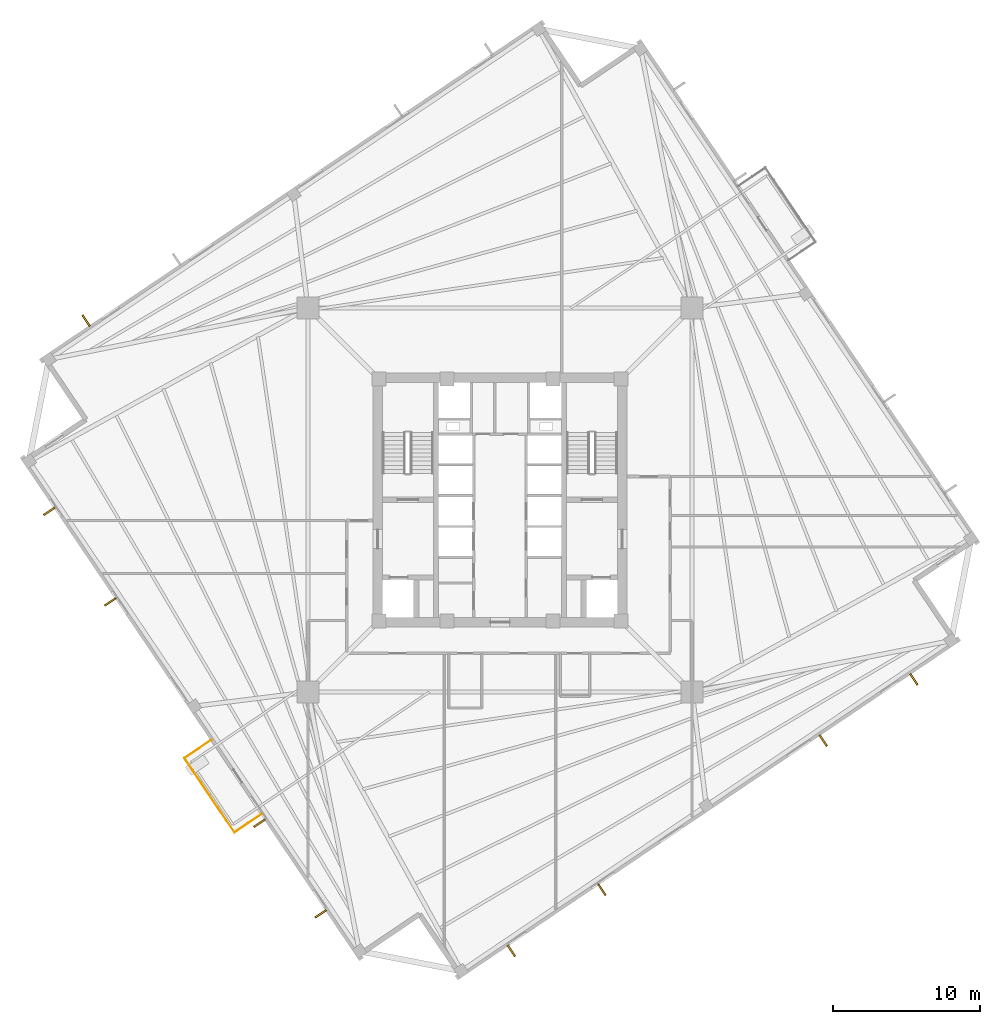
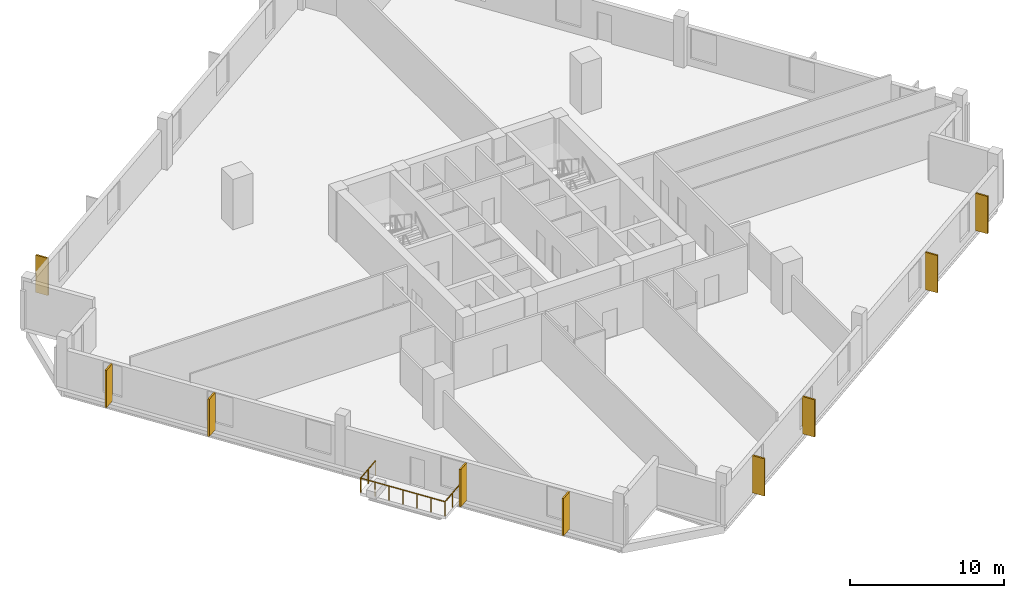
# One storey, part 7 of 9: 9 coverings, 3 railings.
"""IFC4 building model written with IfcOpenShell, lengths in metres."""

from ifc_helpers import new_model, si_unit, direction, frame, origin, origin_2d, place, context, subcontext, project, spatial, rectangle, circle, extrude, source, transform, mapped, material, layer, layer_set, type_object, element, save


model = new_model("IFC4")

# Units and contexts
model_context = context("Model", 3, precision=1e-05, world=origin(), true_north=direction((0.0, 1.0)))
body_context = subcontext(model_context, "Body", "Model", "MODEL_VIEW")
ifc_project = project(units=[si_unit("LENGTHUNIT", "METRE"), si_unit("AREAUNIT", "SQUARE_METRE"), si_unit("VOLUMEUNIT", "CUBIC_METRE"), si_unit("PLANEANGLEUNIT", "RADIAN"), si_unit("MASSUNIT", "GRAM", prefix="KILO"), si_unit("THERMODYNAMICTEMPERATUREUNIT", "KELVIN")], contexts=[model_context])

# Site, building, storey
site_placement = place(None, origin())
site = spatial("IfcSite", under=ifc_project, at=site_placement, CompositionType="ELEMENT")
building_placement = place(site_placement, origin())
building = spatial("IfcBuilding", under=site, at=building_placement, Name="Kosmvard Interchange Tower", CompositionType="ELEMENT")
storey_placement = place(building_placement, frame((0.0, 0.0, 168.39990234375)))
storey = spatial("IfcBuildingStorey", under=building, at=storey_placement, Name="L40", CompositionType="ELEMENT", Elevation=168.39990234375)

# Coverings
ifc_material_1 = material(Name="Architectural anodised aluminium", Category="aluminium")
ifc_layer = layer(ifc_material_1, 0.1201171875, Name="Architectural anodised aluminium")
ifc_layer_set = layer_set([ifc_layer], Name="Architectural anodised aluminium")
covering_type = type_object("IfcCoveringType", Name="Rotating Vertical Sun-Breaker Fin 900x120 Aluminium", PredefinedType="CLADDING", material=ifc_layer_set)
shared_shape_1 = source(origin(), body_context, "Body", "SweptSolid", [
    extrude(rectangle(XDim=0.89990234375, YDim=0.1201171875, at=origin_2d()), origin(), (0.0, 0.0, 1.0), 2.9599609375),
])
for number, where, z_axis, x_axis, name in (
    (1, (0.774169921875, -30.718994140625, 0.0400390625), (0.0, 0.0, 1.0), (0.555860436814, -0.831275631055, 0.0), "L40 Rotating Vertical Sun-Breaker Fin 01"),
    (2, (6.943115234375, -26.557861328125, 0.0400390625), (0.0, 0.0, 1.0), (0.555860436814, -0.831275631055, 0.0), "L40 Rotating Vertical Sun-Breaker Fin 02"),
    (3, (22.02294921875, -16.38623046875, 0.0400390625), (0.0, 0.0, 1.0), (0.555860436814, -0.831275631055, 0.0), "L40 Rotating Vertical Sun-Breaker Fin 03"),
    (4, (28.192138671875, -12.225341796875, 0.0400390625), (0.0, 0.0, 1.0), (0.555860436814, -0.831275631055, 0.0), "L40 Rotating Vertical Sun-Breaker Fin 04"),
    (5, (-28.192138671875, 12.225341796875, 0.0400390625), (0.0, 0.0, 1.0), (-0.555860436814, 0.831275631055, 0.0), "L40 Rotating Vertical Sun-Breaker Fin 12"),
    (6, (-30.718994140625, -0.774169921875, 0.0400390625), (0.0, 0.0, 1.0), (-0.831275631055, -0.555860436814, 0.0), "L40 Rotating Vertical Sun-Breaker Fin 13"),
    (7, (-26.557861328125, -6.943115234375, 0.0400390625), (0.0, 0.0, 1.0), (-0.831275631055, -0.555860436814, 0.0), "L40 Rotating Vertical Sun-Breaker Fin 14"),
    (8, (-16.38623046875, -22.02294921875, 0.0400390625), (0.0, 0.0, 1.0), (-0.831275631055, -0.555860436814, 0.0), "L40 Rotating Vertical Sun-Breaker Fin 15"),
    (9, (-12.225341796875, -28.192138671875, 0.0400390625), (0.0, 0.0, 1.0), (-0.831275631055, -0.555860436814, 0.0), "L40 Rotating Vertical Sun-Breaker Fin 16"),
):
    element("IfcCovering", number, at=place(storey_placement, frame(where, z_axis=z_axis, x_axis=x_axis)), inside=storey, type_object=covering_type, Name=name, PredefinedType="CLADDING", context=body_context, shape_type="MappedRepresentation", body=[
        mapped(shared_shape_1, transform((0.0, 0.0, 0.0), scale=1.0)),
    ])

# Railings
ifc_material_2 = material(Name="Steel S355", Category="steel")
railing_type = type_object("IfcRailingType", Name="Observation & Balcony Glass-Infill Balustrade 1150", PredefinedType="BALUSTRADE", material=ifc_material_2)
shared_shape_2 = source(origin(), body_context, "Body", "SweptSolid", [
    extrude(circle(Radius=0.02392578125, at=origin_2d()), frame((0.0, 0.0, 1.1259765625), z_axis=(0.829050594418, 0.559173597279, 0.0), x_axis=(-0.559173597279, 0.829050594418, 0.0)), (0.0, 0.0, 1.0), 2.2001953125),
    extrude(circle(Radius=0.02099609375, at=origin_2d()), origin(), (0.0, 0.0, 1.0), 1.101806640625),
    extrude(circle(Radius=0.02099609375, at=origin_2d()), frame((0.912109375, 0.615234375, 0.0)), (0.0, 0.0, 1.0), 1.101806640625),
    extrude(circle(Radius=0.02099609375, at=origin_2d()), frame((1.823974609375, 1.230224609375, 0.0)), (0.0, 0.0, 1.0), 1.101806640625),
])
railing_1_placement = place(storey_placement, frame((-18.0859375, -22.6328125, 0.0)))
element("IfcRailing", 10, at=railing_1_placement, inside=storey, type_object=railing_type, Name="L40 Outdoor Terrace Guard BAL-L40-W-C", PredefinedType="BALUSTRADE", context=body_context, shape_type="MappedRepresentation", body=[
    mapped(shared_shape_2, transform((0.0, 0.0, 0.0), scale=1.0)),
])
shared_shape_3 = source(origin(), body_context, "Body", "SweptSolid", [
    extrude(circle(Radius=0.02392578125, at=origin_2d()), frame((0.0, 0.0, 1.1259765625), z_axis=(-0.829050594418, -0.559173597279, 0.0), x_axis=(0.559173597279, -0.829050594418, 0.0)), (0.0, 0.0, 1.0), 2.2001953125),
    extrude(circle(Radius=0.02099609375, at=origin_2d()), origin(), (0.0, 0.0, 1.0), 1.101806640625),
    extrude(circle(Radius=0.02099609375, at=origin_2d()), frame((-0.912109375, -0.615234375, 0.0)), (0.0, 0.0, 1.0), 1.101806640625),
    extrude(circle(Radius=0.02099609375, at=origin_2d()), frame((-1.823974609375, -1.230224609375, 0.0)), (0.0, 0.0, 1.0), 1.101806640625),
])
railing_2_placement = place(storey_placement, frame((-19.673095703125, -16.345458984375, 0.0)))
element("IfcRailing", 11, at=railing_2_placement, inside=storey, type_object=railing_type, Name="L40 Outdoor Terrace Guard BAL-L40-W-A", PredefinedType="BALUSTRADE", context=body_context, shape_type="MappedRepresentation", body=[
    mapped(shared_shape_3, transform((0.0, 0.0, 0.0), scale=1.0)),
])
shared_shape_4 = source(origin(), body_context, "Body", "SweptSolid", [
    extrude(circle(Radius=0.02392578125, at=origin_2d()), frame((0.0, 0.0, 1.1259765625), z_axis=(0.55919924627, -0.829033294248, 0.0), x_axis=(0.829033294248, 0.55919924627, 0.0)), (0.0, 0.0, 1.0), 6.10009765625),
    extrude(circle(Radius=0.02099609375, at=origin_2d()), origin(), (0.0, 0.0, 1.0), 1.101806640625),
    extrude(circle(Radius=0.02099609375, at=origin_2d()), frame((0.568603515625, -0.8427734375, 0.0)), (0.0, 0.0, 1.0), 1.101806640625),
    extrude(circle(Radius=0.02099609375, at=origin_2d()), frame((1.136962890625, -1.685791015625, 0.0)), (0.0, 0.0, 1.0), 1.101806640625),
    extrude(circle(Radius=0.02099609375, at=origin_2d()), frame((1.70556640625, -2.528564453125, 0.0)), (0.0, 0.0, 1.0), 1.101806640625),
    extrude(circle(Radius=0.02099609375, at=origin_2d()), frame((2.274169921875, -3.371337890625, 0.0)), (0.0, 0.0, 1.0), 1.101806640625),
    extrude(circle(Radius=0.02099609375, at=origin_2d()), frame((2.842529296875, -4.21435546875, 0.0)), (0.0, 0.0, 1.0), 1.101806640625),
    extrude(circle(Radius=0.02099609375, at=origin_2d()), frame((3.4111328125, -5.05712890625, 0.0)), (0.0, 0.0, 1.0), 1.101806640625),
])
railing_3_placement = place(storey_placement, frame((-21.4970703125, -17.57568359375, 0.0)))
element("IfcRailing", 12, at=railing_3_placement, inside=storey, type_object=railing_type, Name="L40 Outdoor Terrace Guard BAL-L40-W-B", PredefinedType="BALUSTRADE", context=body_context, shape_type="MappedRepresentation", body=[
    mapped(shared_shape_4, transform((0.0, 0.0, 0.0), scale=1.0)),
])

save(model, "model.ifc")
